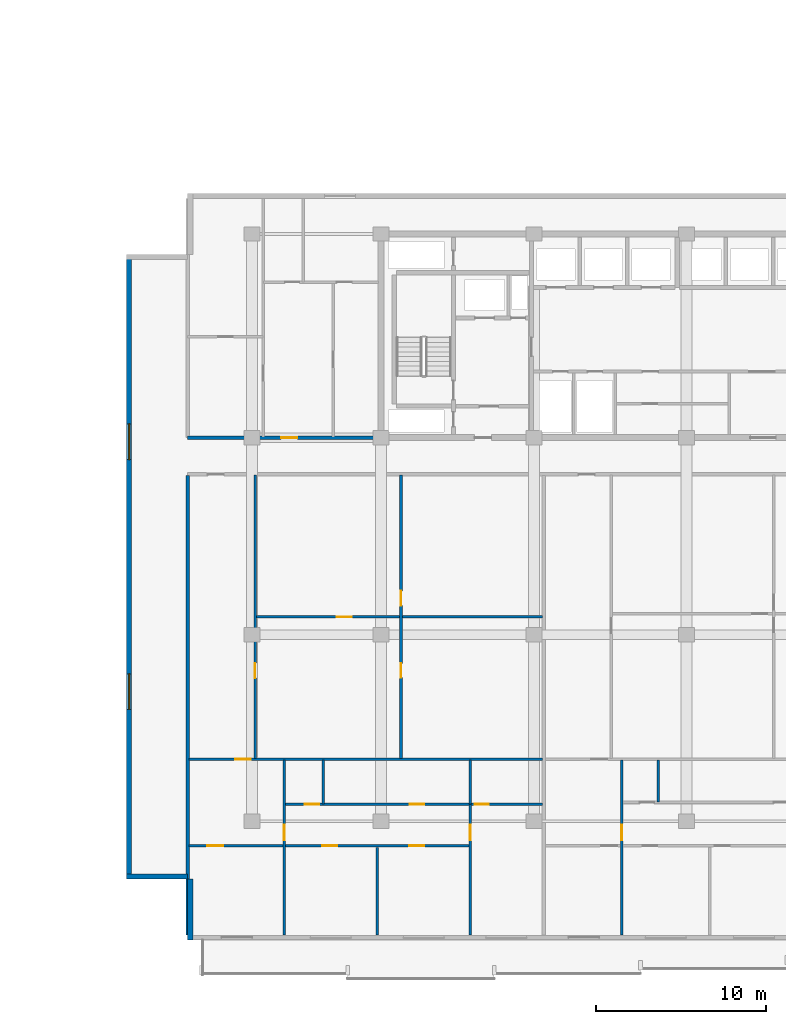
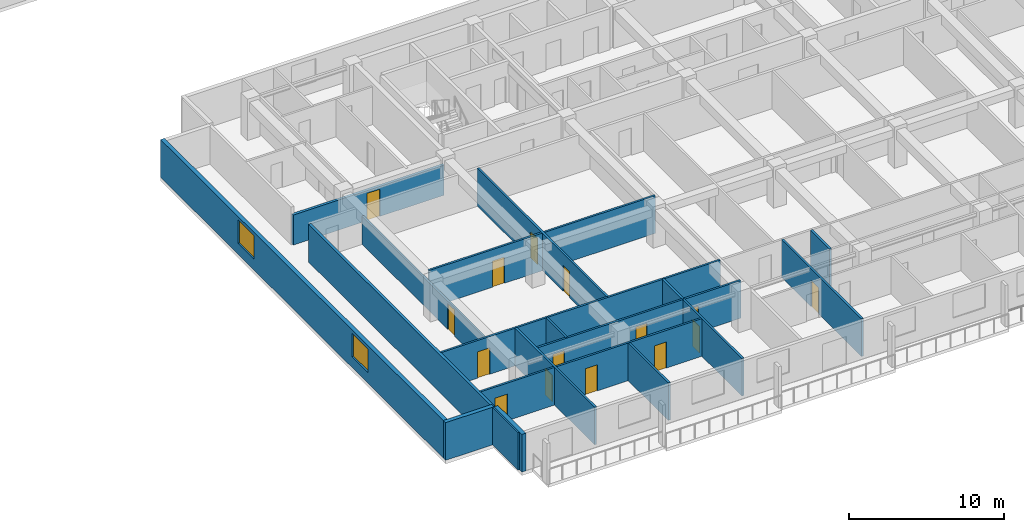
# One storey, part 3 of 23: 18 walls, 15 doors, 2 windows, 17 openings.
"""IFC4 building model written with IfcOpenShell, lengths in metres."""

import ifcopenshell
import ifcopenshell.guid

model = None  # the IFC model being written
_history = None  # IfcOwnerHistory: only IFC2X3 demands one
_inside = {}  # id of a spatial element -> (the spatial element, [elements in it])
_under = {}  # id of a project, library or spatial element -> (it, [spatial elements below it])
_declared = {}  # id of a project -> (the project, [libraries it declares])
_typed = {}  # id of a type object -> (the type object, [elements of that type])
_made_of = {}  # id of a material, layer set ... -> (it, [elements and type objects made of it])


def new_model(schema):
    """Start an empty IFC model of exactly this schema.

    Asked for "IFC4X3", IfcOpenShell would pick the latest addendum, in which some entities
    have other attributes; the version numbers below select the first issue.
    IFC2X3 requires an IfcOwnerHistory on every rooted entity: one is made here for all.
    """
    global model, _history
    if schema == "IFC4X3":
        model = ifcopenshell.file(schema_version=(4, 3, 0, 0))
    else:
        model = ifcopenshell.file(schema=schema)
    _inside.clear()
    _under.clear()
    _declared.clear()
    _typed.clear()
    _made_of.clear()
    _history = None
    if model.schema == "IFC2X3":
        org = make("IfcOrganization", Name="unknown")
        user = make(
            "IfcPersonAndOrganization",
            ThePerson=make("IfcPerson", FamilyName="unknown"),
            TheOrganization=org,
        )
        app = make(
            "IfcApplication",
            ApplicationDeveloper=org,
            Version="unknown",
            ApplicationFullName="unknown",
            ApplicationIdentifier="unknown",
        )
        _history = make(
            "IfcOwnerHistory",
            OwningUser=user,
            OwningApplication=app,
            ChangeAction="ADDED",
            CreationDate=0,
        )
    return model


def make(cls, **values):
    """One entity of the class cls with the attributes given. An attribute that is None is left unset."""
    return model.create_entity(
        cls, **{name: value for name, value in values.items() if value is not None}
    )


def rooted(cls, **values):
    """An entity with a GlobalId (a new one), such as an element, a storey or a relation."""
    return make(cls, GlobalId=ifcopenshell.guid.new(), OwnerHistory=_history, **values)


def si_unit(unit_type, name, prefix=None):
    """IfcSIUnit, for example si_unit("LENGTHUNIT", "METRE", prefix="MILLI")."""
    return make("IfcSIUnit", UnitType=unit_type, Prefix=prefix, Name=name)


def assignment(units):
    """IfcUnitAssignment: the units of a project."""
    return None if units is None else make("IfcUnitAssignment", Units=units)


def point(xyz):
    """IfcCartesianPoint."""
    return None if xyz is None else make("IfcCartesianPoint", Coordinates=xyz)


def direction(xyz):
    """IfcDirection."""
    return None if xyz is None else make("IfcDirection", DirectionRatios=xyz)


def frame(location, z_axis=None, x_axis=None):
    """IfcAxis2Placement3D, a coordinate frame: its origin and axes. An axis left out is left unset."""
    return make(
        "IfcAxis2Placement3D",
        Location=point(location),
        Axis=direction(z_axis),
        RefDirection=direction(x_axis),
    )


def frame_2d(location, x_axis=None):
    """IfcAxis2Placement2D, a coordinate frame in the plane: its origin and x axis."""
    return make(
        "IfcAxis2Placement2D", Location=point(location), RefDirection=direction(x_axis)
    )


def origin():
    """The frame at (0, 0, 0) with its axes left unset."""
    return frame((0.0, 0.0, 0.0))


def place(relative_to, where):
    """IfcLocalPlacement: puts the frame where relative to a parent placement (None: the world)."""
    return make(
        "IfcLocalPlacement", PlacementRelTo=relative_to, RelativePlacement=where
    )


def context(
    kind, dimensions, precision=None, world=None, true_north=None, identifier=None
):
    """IfcGeometricRepresentationContext, for example the 3D "Model" context."""
    return make(
        "IfcGeometricRepresentationContext",
        ContextIdentifier=identifier,
        ContextType=kind,
        CoordinateSpaceDimension=dimensions,
        Precision=precision,
        WorldCoordinateSystem=world,
        TrueNorth=true_north,
    )


def subcontext(parent, identifier, kind, view, scale=None):
    """IfcGeometricRepresentationSubContext, for example "Body" below "Model"."""
    return make(
        "IfcGeometricRepresentationSubContext",
        ContextIdentifier=identifier,
        ContextType=kind,
        ParentContext=parent,
        TargetScale=scale,
        TargetView=view,
    )


def project(units=None, contexts=None):
    """IfcProject with its units and contexts."""
    return rooted(
        "IfcProject",
        Name="project",
        RepresentationContexts=contexts,
        UnitsInContext=assignment(units),
    )


def spatial(cls, under=None, at=None, **own):
    """A site, building, storey or space (cls), placed at a placement, below another one or the project."""
    s = rooted(cls, ObjectPlacement=at, **own)
    if under is not None:
        _under.setdefault(under.id(), (under, []))[1].append(s)
    return s


def profile(cls, at=None, kind="AREA", **sizes):
    """A parametric profile (cls). Its sizes go by their IFC names, for example OverallWidth=200.0."""
    return make(cls, ProfileType=kind, Position=at, **sizes)


def rectangle(**sizes):
    """IfcRectangleProfileDef."""
    return profile("IfcRectangleProfileDef", **sizes)


def extrude(swept, where, along, depth):
    """IfcExtrudedAreaSolid: the profile swept, set in the frame where, extruded along a direction by depth."""
    return make(
        "IfcExtrudedAreaSolid",
        SweptArea=swept,
        Position=where,
        ExtrudedDirection=direction(along),
        Depth=depth,
    )


def shape(context_of_items, identifier, shape_type, items):
    """IfcShapeRepresentation: the items that make up one representation, for example the "Body"."""
    return make(
        "IfcShapeRepresentation",
        ContextOfItems=context_of_items,
        RepresentationIdentifier=identifier,
        RepresentationType=shape_type,
        Items=items,
    )


def material(Name=None, Category=None):
    """IfcMaterial."""
    return make("IfcMaterial", Name=Name, Category=Category)


def layer(
    of_material, thickness, ventilated=None, Name=None, Category=None, Priority=None
):
    """IfcMaterialLayer: one layer of a wall or slab, of a material (None: an air gap)."""
    return make(
        "IfcMaterialLayer",
        Material=of_material,
        LayerThickness=thickness,
        IsVentilated=ventilated,
        Name=Name,
        Category=Category,
        Priority=Priority,
    )


def layer_set(layers, Name=None):
    """IfcMaterialLayerSet."""
    return make("IfcMaterialLayerSet", MaterialLayers=layers, LayerSetName=Name)


def made_of(thing, what):
    """Note that an element or type object is made of a material, layer set ...; save() writes the relation."""
    if what is not None:
        _made_of.setdefault(what.id(), (what, []))[1].append(thing)
    return thing


def type_object(cls, material=None, **own):
    """A type object (cls), such as IfcWallType, which elements share."""
    return made_of(rooted(cls, **own), material)


def element(
    cls,
    number,
    at=None,
    inside=None,
    cuts=None,
    type_object=None,
    material=None,
    context=None,
    identifier="Body",
    shape_type=None,
    held_by="IfcProductDefinitionShape",
    body=None,
    shapes=None,
    **own,
):
    """One element of the class cls, such as IfcWall. Its Tag is "e" and its number.

    at: its placement. inside: the storey or other place that contains it. cuts: it is an
    opening in that element (IfcRelVoidsElement). A single representation is given by context,
    identifier, shape_type and body (its items); several are given by shapes. held_by: the class
    of the entity that holds the representations. save() writes the other relations.
    """
    e = rooted(cls, Tag="e%d" % number, ObjectPlacement=at, **own)
    if body is not None:
        shapes = [shape(context, identifier, shape_type, body)]
    if shapes is not None:
        e.Representation = make(held_by, Representations=shapes)
    if inside is not None:
        _inside.setdefault(inside.id(), (inside, []))[1].append(e)
    if cuts is not None:
        rooted(
            "IfcRelVoidsElement", RelatingBuildingElement=cuts, RelatedOpeningElement=e
        )
    if type_object is not None:
        _typed.setdefault(type_object.id(), (type_object, []))[1].append(e)
    return made_of(e, material)


def fill(opening, filler):
    """IfcRelFillsElement: the door or window that sits in an opening."""
    return rooted(
        "IfcRelFillsElement",
        RelatingOpeningElement=opening,
        RelatedBuildingElement=filler,
    )


def aggregate(whole, parts):
    """IfcRelAggregates: a whole, such as a stair, and the parts it consists of."""
    return rooted("IfcRelAggregates", RelatingObject=whole, RelatedObjects=parts)


def save(model, path):
    """Write the relations noted so far, then the file.

    IfcRelAggregates (storeys below a building ...), IfcRelContainedInSpatialStructure (elements
    in a storey), IfcRelDefinesByType, IfcRelAssociatesMaterial and IfcRelDeclares: one each for
    every whole, place, type object, material and project.
    """
    for whole, parts in _under.values():
        aggregate(whole, parts)
    for where, things in _inside.values():
        rooted(
            "IfcRelContainedInSpatialStructure",
            RelatedElements=things,
            RelatingStructure=where,
        )
    for kind, things in _typed.values():
        rooted("IfcRelDefinesByType", RelatedObjects=things, RelatingType=kind)
    for what, things in _made_of.values():
        rooted("IfcRelAssociatesMaterial", RelatedObjects=things, RelatingMaterial=what)
    for by, libraries in _declared.values():
        rooted("IfcRelDeclares", RelatingContext=by, RelatedDefinitions=libraries)
    model.write(path)


model = new_model("IFC4")

# Units and contexts
model_context = context("Model", 3, precision=1e-05, world=origin(), true_north=direction((0.0, 1.0)))
body_context = subcontext(model_context, "Body", "Model", "MODEL_VIEW")
ifc_project = project(units=[si_unit("LENGTHUNIT", "METRE"), si_unit("AREAUNIT", "SQUARE_METRE"), si_unit("VOLUMEUNIT", "CUBIC_METRE"), si_unit("PLANEANGLEUNIT", "RADIAN"), si_unit("MASSUNIT", "GRAM", prefix="KILO")], contexts=[model_context])

# Site, building, storey
site_placement = place(None, origin())
site = spatial("IfcSite", under=ifc_project, at=site_placement, CompositionType="ELEMENT")
building_placement = place(site_placement, origin())
building = spatial("IfcBuilding", under=site, at=building_placement, Name="Korimba Cascade Residences", CompositionType="ELEMENT")
storey_placement = place(building_placement, frame((0.0, 0.0, 59.75)))
storey = spatial("IfcBuildingStorey", under=building, at=storey_placement, Name="L16", CompositionType="ELEMENT", Elevation=59.75)

# Wall, openings, windows
ifc_material_1 = material(Name="Precast concrete C40/50", Category="concrete")
ifc_layer_1 = layer(ifc_material_1, 0.300048828125)
ifc_layer_set_1 = layer_set([ifc_layer_1], Name="Precast concrete C40/50")
wall_type_1 = type_object("IfcWallType", Name="EW-STONE-300", PredefinedType="STANDARD", material=ifc_layer_set_1)
wall_1_placement = place(storey_placement, frame((67.25, 29.199951171875, 0.0), z_axis=(0.0, 0.0, 1.0), x_axis=(0.0, -1.0, 0.0)))
wall_1 = element("IfcWall", 1, at=wall_1_placement, inside=storey, type_object=wall_type_1, Name="L16 T2 Perimeter Stone Wall E09", PredefinedType="STANDARD", context=body_context, shape_type="SweptSolid", body=[
    extrude(rectangle(XDim=36.800048828125, YDim=0.300048828125, at=frame_2d((18.39990234375, 0.0))), origin(), (0.0, 0.0, 1.0), 2.969970703125),
])
opening_1_placement = place(wall_1_placement, frame((9.989990234375, 0.0, 0.85009765625)))
opening_1 = element("IfcOpeningElement", 2, at=opening_1_placement, cuts=wall_1, Name="Opening W-03", PredefinedType="OPENING", context=body_context, shape_type="SweptSolid", body=[
    extrude(rectangle(XDim=2.10009765625, YDim=1.85009765625, at=frame_2d((1.050048828125, 0.925048828125))), frame((0.0, 0.16015625, 0.0), z_axis=(0.0, -1.0, 0.0), x_axis=(1.0, 0.0, 0.0)), (0.0, 0.0, 1.0), 0.320068359375),
])
opening_2_placement = place(wall_1_placement, frame((24.7099609375, 0.0, 0.85009765625)))
opening_2 = element("IfcOpeningElement", 3, at=opening_2_placement, cuts=wall_1, Name="Opening W-03", PredefinedType="OPENING", context=body_context, shape_type="SweptSolid", body=[
    extrude(rectangle(XDim=2.10009765625, YDim=1.85009765625, at=frame_2d((1.050048828125, 0.925048828125))), frame((0.0, 0.16015625, 0.0), z_axis=(0.0, -1.0, 0.0), x_axis=(1.0, 0.0, 0.0)), (0.0, 0.0, 1.0), 0.320068359375),
])
ifc_material_2 = material(Name="Double-Glazed Aluminium Window", Category="aluminium")
window_type = type_object("IfcWindowType", Name="WIN-CRN-2100", PartitioningType="DOUBLE_PANEL_HORIZONTAL", PredefinedType="WINDOW", material=ifc_material_2)
window_1_placement = place(opening_1_placement, origin())
window_1 = element("IfcWindow", 4, at=window_1_placement, inside=storey, type_object=window_type, Name="L16 T2 End View Window 9.1", OverallHeight=1.85009765625, OverallWidth=2.10009765625, PartitioningType="DOUBLE_PANEL_HORIZONTAL", PredefinedType="WINDOW", context=body_context, shape_type="SweptSolid", body=[
    extrude(rectangle(XDim=2.10009765625, YDim=1.85009765625, at=frame_2d((1.050048828125, 0.925048828125))), frame((0.0, 0.030029296875, 0.0), z_axis=(0.0, -1.0, 0.0), x_axis=(1.0, 0.0, 0.0)), (0.0, 0.0, 1.0), 0.06005859375),
])
fill(opening_1, window_1)
window_2_placement = place(opening_2_placement, origin())
window_2 = element("IfcWindow", 5, at=window_2_placement, inside=storey, type_object=window_type, Name="L16 T2 End View Window 9.2", OverallHeight=1.85009765625, OverallWidth=2.10009765625, PartitioningType="DOUBLE_PANEL_HORIZONTAL", PredefinedType="WINDOW", context=body_context, shape_type="SweptSolid", body=[
    extrude(rectangle(XDim=2.10009765625, YDim=1.85009765625, at=frame_2d((1.050048828125, 0.925048828125))), frame((0.0, 0.030029296875, 0.0), z_axis=(0.0, -1.0, 0.0), x_axis=(1.0, 0.0, 0.0)), (0.0, 0.0, 1.0), 0.06005859375),
])
fill(opening_2, window_2)

# Walls
for number, where, z_axis, x_axis, name in (
    (6, (67.10009765625, -7.449951171875, 0.0), (0.0, 0.0, 1.0), (1.0, 0.0, 0.0), "L16 T2 Perimeter Stone Wall E10"),
    (7, (70.85009765625, -7.60009765625, 0.0), (0.0, 0.0, 1.0), (0.0, -1.0, 0.0), "L16 T2 Perimeter Stone Wall E11"),
):
    element("IfcWall", number, at=place(storey_placement, frame(where, z_axis=z_axis, x_axis=x_axis)), inside=storey, type_object=wall_type_1, Name=name, PredefinedType="STANDARD", context=body_context, shape_type="SweptSolid", body=[
        extrude(rectangle(XDim=3.599853515625, YDim=0.300048828125, at=frame_2d((1.7998046875, 0.0))), origin(), (0.0, 0.0, 1.0), 2.969970703125),
    ])

# Wall, opening, door
ifc_layer_2 = layer(ifc_material_1, 0.199951171875)
ifc_layer_set_2 = layer_set([ifc_layer_2], Name="Precast concrete C40/50")
wall_type_2 = type_object("IfcWallType", Name="WAL-IT-200", PredefinedType="PARTITIONING", material=ifc_layer_set_2)
wall_2_placement = place(storey_placement, frame((70.699951171875, 18.39990234375, 0.0), z_axis=(0.0, 0.0, 1.0), x_axis=(1.0, 0.0, 0.0)))
wall_2 = element("IfcWall", 8, at=wall_2_placement, inside=storey, type_object=wall_type_2, Name="L16 Partition Wall WAL-L16-T2-FW-S", PredefinedType="PARTITIONING", context=body_context, shape_type="SweptSolid", body=[
    extrude(rectangle(XDim=11.25, YDim=0.199951171875, at=frame_2d((5.625, 0.0))), origin(), (0.0, 0.0, 1.0), 2.3701171875),
])
opening_3_placement = place(wall_2_placement, frame((5.50634765625, 0.0, 0.0)))
opening_3 = element("IfcOpeningElement", 9, at=opening_3_placement, cuts=wall_2, Name="Opening D-UN1", PredefinedType="OPENING", context=body_context, shape_type="SweptSolid", body=[
    extrude(rectangle(XDim=0.949951171875, YDim=2.14990234375, at=frame_2d((0.47509765625, 1.074951171875))), frame((0.0, 0.10986328125, 0.0), z_axis=(0.0, -1.0, 0.0), x_axis=(1.0, 0.0, 0.0)), (0.0, 0.0, 1.0), 0.219970703125),
])
ifc_material_3 = material(Name="Fire-Rated Hardwood Apartment Entrance Door", Category="wood")
door_type_1 = type_object("IfcDoorType", Name="DR-FD60-950", OperationType="NOTDEFINED", PredefinedType="DOOR", material=ifc_material_3)
door_1_placement = place(opening_3_placement, origin())
door_1 = element("IfcDoor", 10, at=door_1_placement, inside=storey, type_object=door_type_1, Name="L16-T2-FW Entrance Door", OperationType="SINGLE_SWING_RIGHT", OverallHeight=2.14990234375, OverallWidth=0.949951171875, PredefinedType="DOOR", context=body_context, shape_type="SweptSolid", body=[
    extrude(rectangle(XDim=0.949951171875, YDim=2.14990234375, at=frame_2d((0.47509765625, 1.074951171875))), frame((0.0, 0.02490234375, 0.0), z_axis=(0.0, -1.0, 0.0), x_axis=(1.0, 0.0, 0.0)), (0.0, 0.0, 1.0), 0.050048828125),
])
fill(opening_3, door_1)

# Wall
wall_3_placement = place(storey_placement, frame((70.699951171875, -10.89990234375, 0.0), z_axis=(0.0, 0.0, 1.0), x_axis=(0.0, 1.0, 0.0)))
element("IfcWall", 11, at=wall_3_placement, inside=storey, type_object=wall_type_2, Name="L16 Partition Wall WAL-L16-T2-BNDWL", PredefinedType="PARTITIONING", context=body_context, shape_type="SweptSolid", body=[
    extrude(rectangle(XDim=27.06982421875, YDim=0.199951171875, at=frame_2d((13.534912109375, 0.0))), origin(), (0.0, 0.0, 1.0), 2.969970703125),
])

# Wall, openings, doors
ifc_material_4 = material(Name="Insulated Acoustic Stud Partition", Category="gypsum")
ifc_layer_3 = layer(ifc_material_4, 0.14990234375)
ifc_layer_set_3 = layer_set([ifc_layer_3], Name="Insulated Acoustic Stud Partition")
wall_type_3 = type_object("IfcWallType", Name="WAL-PART-150", PredefinedType="PARTITIONING", material=ifc_layer_set_3)
wall_4_placement = place(storey_placement, frame((83.269287109375, -0.510009765625, 0.0), z_axis=(0.0, 0.0, 1.0), x_axis=(0.0, 1.0, 0.0)))
wall_4 = element("IfcWall", 12, at=wall_4_placement, inside=storey, type_object=wall_type_3, Name="L16 Partition Wall WAL-L16-T2-U01-FMV", PredefinedType="PARTITIONING", context=body_context, shape_type="SweptSolid", body=[
    extrude(rectangle(XDim=16.699951171875, YDim=0.14990234375, at=frame_2d((8.35009765625, 0.0))), origin(), (0.0, 0.0, 1.0), 2.969970703125),
])
opening_4_placement = place(wall_4_placement, frame((4.7724609375, 0.0, 0.0)))
opening_4 = element("IfcOpeningElement", 13, at=opening_4_placement, cuts=wall_4, Name="Opening D-BT1", PredefinedType="OPENING", context=body_context, shape_type="SweptSolid", body=[
    extrude(rectangle(XDim=0.840087890625, YDim=2.0400390625, at=frame_2d((0.419921875, 1.02001953125))), frame((0.0, 0.0849609375, 0.0), z_axis=(0.0, -1.0, 0.0), x_axis=(1.0, 0.0, 0.0)), (0.0, 0.0, 1.0), 0.169921875),
])
opening_5_placement = place(wall_4_placement, frame((9.01220703125, 0.0, 0.0)))
opening_5 = element("IfcOpeningElement", 14, at=opening_5_placement, cuts=wall_4, Name="Opening D-IN2", PredefinedType="OPENING", context=body_context, shape_type="SweptSolid", body=[
    extrude(rectangle(XDim=0.8798828125, YDim=2.06005859375, at=frame_2d((0.43994140625, 1.030029296875))), frame((0.0, 0.0849609375, 0.0), z_axis=(0.0, -1.0, 0.0), x_axis=(1.0, 0.0, 0.0)), (0.0, 0.0, 1.0), 0.169921875),
])
ifc_material_5 = material(Name="Moisture-Resistant Bathroom Timber Door", Category="wood")
door_type_2 = type_object("IfcDoorType", Name="DR-INT-850", OperationType="NOTDEFINED", PredefinedType="DOOR", material=ifc_material_5)
door_2_placement = place(opening_4_placement, origin())
door_2 = element("IfcDoor", 15, at=door_2_placement, inside=storey, type_object=door_type_2, Name="L16-T2-U01 Wardrobe Door", OperationType="SINGLE_SWING_LEFT", OverallHeight=2.0400390625, OverallWidth=0.840087890625, PredefinedType="DOOR", context=body_context, shape_type="SweptSolid", body=[
    extrude(rectangle(XDim=0.840087890625, YDim=2.0400390625, at=frame_2d((0.419921875, 1.02001953125))), frame((0.0, 0.02490234375, 0.0), z_axis=(0.0, -1.0, 0.0), x_axis=(1.0, 0.0, 0.0)), (0.0, 0.0, 1.0), 0.050048828125),
])
fill(opening_4, door_2)
ifc_material_6 = material(Name="Acoustic Timber Bedroom Door", Category="wood")
door_type_3 = type_object("IfcDoorType", Name="DR-INT-880", OperationType="NOTDEFINED", PredefinedType="DOOR", material=ifc_material_6)
door_3_placement = place(opening_5_placement, origin())
door_3 = element("IfcDoor", 16, at=door_3_placement, inside=storey, type_object=door_type_3, Name="L16-T2-U01 Music Lounge Door", OperationType="SINGLE_SWING_RIGHT", OverallHeight=2.06005859375, OverallWidth=0.8798828125, PredefinedType="DOOR", context=body_context, shape_type="SweptSolid", body=[
    extrude(rectangle(XDim=0.8798828125, YDim=2.06005859375, at=frame_2d((0.43994140625, 1.030029296875))), frame((0.0, 0.02490234375, 0.0), z_axis=(0.0, -1.0, 0.0), x_axis=(1.0, 0.0, 0.0)), (0.0, 0.0, 1.0), 0.050048828125),
])
fill(opening_5, door_3)

# Wall, opening, door
wall_5_placement = place(storey_placement, frame((74.72998046875, 7.840087890625, 0.0), z_axis=(0.0, 0.0, 1.0), x_axis=(1.0, 0.0, 0.0)))
wall_5 = element("IfcWall", 17, at=wall_5_placement, inside=storey, type_object=wall_type_3, Name="L16 Partition Wall WAL-L16-T2-U01-FMH", PredefinedType="PARTITIONING", context=body_context, shape_type="SweptSolid", body=[
    extrude(rectangle(XDim=16.87841796875, YDim=0.14990234375, at=frame_2d((8.439208984375, 0.0))), origin(), (0.0, 0.0, 1.0), 2.969970703125),
])
opening_6_placement = place(wall_5_placement, frame((4.745361328125, 0.0, 0.0)))
opening_6 = element("IfcOpeningElement", 18, at=opening_6_placement, cuts=wall_5, Name="Opening D-IN2", PredefinedType="OPENING", context=body_context, shape_type="SweptSolid", body=[
    extrude(rectangle(XDim=0.8798828125, YDim=2.06005859375, at=frame_2d((0.43994140625, 1.030029296875))), frame((0.0, 0.0849609375, 0.0), z_axis=(0.0, -1.0, 0.0), x_axis=(1.0, 0.0, 0.0)), (0.0, 0.0, 1.0), 0.169921875),
])
door_4_placement = place(opening_6_placement, origin())
door_4 = element("IfcDoor", 19, at=door_4_placement, inside=storey, type_object=door_type_3, Name="L16-T2-U01 Library Salon Door", OperationType="SINGLE_SWING_LEFT", OverallHeight=2.06005859375, OverallWidth=0.8798828125, PredefinedType="DOOR", context=body_context, shape_type="SweptSolid", body=[
    extrude(rectangle(XDim=0.8798828125, YDim=2.06005859375, at=frame_2d((0.43994140625, 1.030029296875))), frame((0.0, 0.02490234375, 0.0), z_axis=(0.0, -1.0, 0.0), x_axis=(1.0, 0.0, 0.0)), (0.0, 0.0, 1.0), 0.050048828125),
])
fill(opening_6, door_4)

wall_6_placement = place(storey_placement, frame((74.669921875, -0.510009765625, 0.0), z_axis=(0.0, 0.0, 1.0), x_axis=(0.0, 1.0, 0.0)))
wall_6 = element("IfcWall", 20, at=wall_6_placement, inside=storey, type_object=wall_type_3, Name="L16 Partition Wall WAL-L16-T2-U01-FV", PredefinedType="PARTITIONING", context=body_context, shape_type="SweptSolid", body=[
    extrude(rectangle(XDim=16.699951171875, YDim=0.14990234375, at=frame_2d((8.35009765625, 0.0))), origin(), (0.0, 0.0, 1.0), 2.219970703125),
])
opening_7_placement = place(wall_6_placement, frame((4.746826171875, 0.0, 0.0)))
opening_7 = element("IfcOpeningElement", 21, at=opening_7_placement, cuts=wall_6, Name="Opening D-IN2", PredefinedType="OPENING", context=body_context, shape_type="SweptSolid", body=[
    extrude(rectangle(XDim=0.8798828125, YDim=2.06005859375, at=frame_2d((0.43994140625, 1.030029296875))), frame((0.0, 0.0849609375, 0.0), z_axis=(0.0, -1.0, 0.0), x_axis=(1.0, 0.0, 0.0)), (0.0, 0.0, 1.0), 0.169921875),
])
door_5_placement = place(opening_7_placement, origin())
door_5 = element("IfcDoor", 22, at=door_5_placement, inside=storey, type_object=door_type_3, Name="L16-T2-U01 Media Lounge Door", OperationType="SINGLE_SWING_RIGHT", OverallHeight=2.06005859375, OverallWidth=0.8798828125, PredefinedType="DOOR", context=body_context, shape_type="SweptSolid", body=[
    extrude(rectangle(XDim=0.8798828125, YDim=2.06005859375, at=frame_2d((0.43994140625, 1.030029296875))), frame((0.0, 0.02490234375, 0.0), z_axis=(0.0, -1.0, 0.0), x_axis=(1.0, 0.0, 0.0)), (0.0, 0.0, 1.0), 0.050048828125),
])
fill(opening_7, door_5)

# Walls
wall_7_placement = place(storey_placement, frame((78.68994140625, -3.169921875, 0.0), z_axis=(0.0, 0.0, 1.0), x_axis=(0.0, 1.0, 0.0)))
element("IfcWall", 23, at=wall_7_placement, inside=storey, type_object=wall_type_3, Name="L16 Partition Wall WAL-L16-T2-U01-VDRS", PredefinedType="PARTITIONING", context=body_context, shape_type="SweptSolid", body=[
    extrude(rectangle(XDim=2.579833984375, YDim=0.14990234375, at=frame_2d((1.2900390625, 0.0))), origin(), (0.0, 0.0, 1.0), 2.969970703125),
])
wall_8_placement = place(storey_placement, frame((81.869140625, -10.89990234375, 0.0), z_axis=(0.0, 0.0, 1.0), x_axis=(0.0, 1.0, 0.0)))
element("IfcWall", 24, at=wall_8_placement, inside=storey, type_object=wall_type_3, Name="L16 Partition Wall WAL-L16-T2-U01-VB3", PredefinedType="PARTITIONING", context=body_context, shape_type="SweptSolid", body=[
    extrude(rectangle(XDim=5.169921875, YDim=0.14990234375, at=frame_2d((2.5849609375, 0.0))), origin(), (0.0, 0.0, 1.0), 2.969970703125),
])

# Wall, opening, door
wall_9_placement = place(storey_placement, frame((76.3798828125, -10.89990234375, 0.0), z_axis=(0.0, 0.0, 1.0), x_axis=(0.0, 1.0, 0.0)))
wall_9 = element("IfcWall", 25, at=wall_9_placement, inside=storey, type_object=wall_type_3, Name="L16 Partition Wall WAL-L16-T2-U01-V1", PredefinedType="PARTITIONING", context=body_context, shape_type="SweptSolid", body=[
    extrude(rectangle(XDim=10.309814453125, YDim=0.14990234375, at=frame_2d((5.15478515625, 0.0))), origin(), (0.0, 0.0, 1.0), 2.969970703125),
])
opening_8_placement = place(wall_9_placement, frame((5.570068359375, 0.0, 0.0)))
opening_8 = element("IfcOpeningElement", 26, at=opening_8_placement, cuts=wall_9, Name="Opening D-IN1", PredefinedType="OPENING", context=body_context, shape_type="SweptSolid", body=[
    extrude(rectangle(XDim=0.919921875, YDim=2.080078125, at=frame_2d((0.4599609375, 1.0400390625))), frame((0.0, 0.0849609375, 0.0), z_axis=(0.0, -1.0, 0.0), x_axis=(1.0, 0.0, 0.0)), (0.0, 0.0, 1.0), 0.169921875),
])
ifc_material_7 = material(Name="Acoustic Timber Living Door", Category="wood")
door_type_4 = type_object("IfcDoorType", Name="DR-INT-920", OperationType="NOTDEFINED", PredefinedType="DOOR", material=ifc_material_7)
door_6_placement = place(opening_8_placement, origin())
door_6 = element("IfcDoor", 27, at=door_6_placement, inside=storey, type_object=door_type_4, Name="L16-T2-U01 Hallway Door", OperationType="SINGLE_SWING_LEFT", OverallHeight=2.080078125, OverallWidth=0.919921875, PredefinedType="DOOR", context=body_context, shape_type="SweptSolid", body=[
    extrude(rectangle(XDim=0.919921875, YDim=2.080078125, at=frame_2d((0.4599609375, 1.0400390625))), frame((0.0, 0.02490234375, 0.0), z_axis=(0.0, -1.0, 0.0), x_axis=(1.0, 0.0, 0.0)), (0.0, 0.0, 1.0), 0.050048828125),
])
fill(opening_8, door_6)

# Wall
wall_10_placement = place(storey_placement, frame((87.3583984375, -3.169921875, 0.0), z_axis=(0.0, 0.0, 1.0), x_axis=(0.0, 1.0, 0.0)))
element("IfcWall", 28, at=wall_10_placement, inside=storey, type_object=wall_type_3, Name="L16 Partition Wall WAL-L16-T2-U01-VBATH", PredefinedType="PARTITIONING", context=body_context, shape_type="SweptSolid", body=[
    extrude(rectangle(XDim=2.579833984375, YDim=0.14990234375, at=frame_2d((1.2900390625, 0.0))), origin(), (0.0, 0.0, 1.0), 2.969970703125),
])

# Wall, opening, door
wall_11_placement = place(storey_placement, frame((87.3583984375, -10.89990234375, 0.0), z_axis=(0.0, 0.0, 1.0), x_axis=(0.0, 1.0, 0.0)))
wall_11 = element("IfcWall", 29, at=wall_11_placement, inside=storey, type_object=wall_type_3, Name="L16 Partition Wall WAL-L16-T2-U01-V2FULL", PredefinedType="PARTITIONING", context=body_context, shape_type="SweptSolid", body=[
    extrude(rectangle(XDim=7.68994140625, YDim=0.14990234375, at=frame_2d((3.844970703125, 0.0))), origin(), (0.0, 0.0, 1.0), 2.969970703125),
])
opening_9_placement = place(wall_11_placement, frame((5.570068359375, 0.0, 0.0)))
opening_9 = element("IfcOpeningElement", 30, at=opening_9_placement, cuts=wall_11, Name="Opening D-IN1", PredefinedType="OPENING", context=body_context, shape_type="SweptSolid", body=[
    extrude(rectangle(XDim=0.919921875, YDim=2.080078125, at=frame_2d((0.4599609375, 1.0400390625))), frame((0.0, 0.0849609375, 0.0), z_axis=(0.0, -1.0, 0.0), x_axis=(1.0, 0.0, 0.0)), (0.0, 0.0, 1.0), 0.169921875),
])
door_7_placement = place(opening_9_placement, origin())
door_7 = element("IfcDoor", 31, at=door_7_placement, inside=storey, type_object=door_type_4, Name="L16-T2-U01 Master Bedroom Door", OperationType="SINGLE_SWING_RIGHT", OverallHeight=2.080078125, OverallWidth=0.919921875, PredefinedType="DOOR", context=body_context, shape_type="SweptSolid", body=[
    extrude(rectangle(XDim=0.919921875, YDim=2.080078125, at=frame_2d((0.4599609375, 1.0400390625))), frame((0.0, 0.02490234375, 0.0), z_axis=(0.0, -1.0, 0.0), x_axis=(1.0, 0.0, 0.0)), (0.0, 0.0, 1.0), 0.050048828125),
])
fill(opening_9, door_7)

# Wall, openings, doors
wall_12_placement = place(storey_placement, frame((76.419921875, -3.18994140625, 0.0), z_axis=(0.0, 0.0, 1.0), x_axis=(1.0, 0.0, 0.0)))
wall_12 = element("IfcWall", 32, at=wall_12_placement, inside=storey, type_object=wall_type_3, Name="L16 Partition Wall WAL-L16-T2-U01-HWALL", PredefinedType="PARTITIONING", context=body_context, shape_type="SweptSolid", body=[
    extrude(rectangle(XDim=15.1884765625, YDim=0.14990234375, at=frame_2d((7.59423828125, 0.0))), origin(), (0.0, 0.0, 1.0), 2.969970703125),
])
opening_10_placement = place(wall_12_placement, frame((1.19091796875, 0.0, 0.0)))
opening_10 = element("IfcOpeningElement", 33, at=opening_10_placement, cuts=wall_12, Name="Opening D-BT1", PredefinedType="OPENING", context=body_context, shape_type="SweptSolid", body=[
    extrude(rectangle(XDim=0.840087890625, YDim=2.0400390625, at=frame_2d((0.419921875, 1.02001953125))), frame((0.0, 0.0849609375, 0.0), z_axis=(0.0, -1.0, 0.0), x_axis=(1.0, 0.0, 0.0)), (0.0, 0.0, 1.0), 0.169921875),
])
opening_11_placement = place(wall_12_placement, frame((7.366455078125, 0.0, 0.0)))
opening_11 = element("IfcOpeningElement", 34, at=opening_11_placement, cuts=wall_12, Name="Opening D-BT1", PredefinedType="OPENING", context=body_context, shape_type="SweptSolid", body=[
    extrude(rectangle(XDim=0.840087890625, YDim=2.0400390625, at=frame_2d((0.419921875, 1.02001953125))), frame((0.0, 0.0849609375, 0.0), z_axis=(0.0, -1.0, 0.0), x_axis=(1.0, 0.0, 0.0)), (0.0, 0.0, 1.0), 0.169921875),
])
opening_12_placement = place(wall_12_placement, frame((11.1884765625, 0.0, 0.0)))
opening_12 = element("IfcOpeningElement", 35, at=opening_12_placement, cuts=wall_12, Name="Opening D-BT1", PredefinedType="OPENING", context=body_context, shape_type="SweptSolid", body=[
    extrude(rectangle(XDim=0.840087890625, YDim=2.0400390625, at=frame_2d((0.419921875, 1.02001953125))), frame((0.0, 0.0849609375, 0.0), z_axis=(0.0, -1.0, 0.0), x_axis=(1.0, 0.0, 0.0)), (0.0, 0.0, 1.0), 0.169921875),
])
door_8_placement = place(opening_10_placement, origin())
door_8 = element("IfcDoor", 36, at=door_8_placement, inside=storey, type_object=door_type_2, Name="L16-T2-U01 Family Bathroom Door", OperationType="SINGLE_SWING_LEFT", OverallHeight=2.0400390625, OverallWidth=0.840087890625, PredefinedType="DOOR", context=body_context, shape_type="SweptSolid", body=[
    extrude(rectangle(XDim=0.840087890625, YDim=2.0400390625, at=frame_2d((0.419921875, 1.02001953125))), frame((0.0, 0.02490234375, 0.0), z_axis=(0.0, -1.0, 0.0), x_axis=(1.0, 0.0, 0.0)), (0.0, 0.0, 1.0), 0.050048828125),
])
fill(opening_10, door_8)
door_9_placement = place(opening_11_placement, origin())
door_9 = element("IfcDoor", 37, at=door_9_placement, inside=storey, type_object=door_type_2, Name="L16-T2-U01 Dressing Room Door", OperationType="SINGLE_SWING_RIGHT", OverallHeight=2.0400390625, OverallWidth=0.840087890625, PredefinedType="DOOR", context=body_context, shape_type="SweptSolid", body=[
    extrude(rectangle(XDim=0.840087890625, YDim=2.0400390625, at=frame_2d((0.419921875, 1.02001953125))), frame((0.0, 0.02490234375, 0.0), z_axis=(0.0, -1.0, 0.0), x_axis=(1.0, 0.0, 0.0)), (0.0, 0.0, 1.0), 0.050048828125),
])
fill(opening_11, door_9)
door_10_placement = place(opening_12_placement, origin())
door_10 = element("IfcDoor", 38, at=door_10_placement, inside=storey, type_object=door_type_2, Name="L16-T2-U01 En-Suite Door", OperationType="SINGLE_SWING_LEFT", OverallHeight=2.0400390625, OverallWidth=0.840087890625, PredefinedType="DOOR", context=body_context, shape_type="SweptSolid", body=[
    extrude(rectangle(XDim=0.840087890625, YDim=2.0400390625, at=frame_2d((0.419921875, 1.02001953125))), frame((0.0, 0.02490234375, 0.0), z_axis=(0.0, -1.0, 0.0), x_axis=(1.0, 0.0, 0.0)), (0.0, 0.0, 1.0), 0.050048828125),
])
fill(opening_12, door_10)

# Wall, opening, door
wall_13_placement = place(storey_placement, frame((70.780029296875, -0.550048828125, 0.0), z_axis=(0.0, 0.0, 1.0), x_axis=(1.0, 0.0, 0.0)))
wall_13 = element("IfcWall", 39, at=wall_13_placement, inside=storey, type_object=wall_type_3, Name="L16 Partition Wall WAL-L16-T2-U01-MW", PredefinedType="PARTITIONING", context=body_context, shape_type="SweptSolid", body=[
    extrude(rectangle(XDim=20.828369140625, YDim=0.14990234375, at=frame_2d((10.4140625, 0.0))), origin(), (0.0, 0.0, 1.0), 2.969970703125),
])
opening_13_placement = place(wall_13_placement, frame((2.719970703125, 0.0, 0.0)))
opening_13 = element("IfcOpeningElement", 40, at=opening_13_placement, cuts=wall_13, Name="Opening D-IN1", PredefinedType="OPENING", context=body_context, shape_type="SweptSolid", body=[
    extrude(rectangle(XDim=0.919921875, YDim=2.080078125, at=frame_2d((0.4599609375, 1.0400390625))), frame((0.0, 0.0849609375, 0.0), z_axis=(0.0, -1.0, 0.0), x_axis=(1.0, 0.0, 0.0)), (0.0, 0.0, 1.0), 0.169921875),
])
door_11_placement = place(opening_13_placement, origin())
door_11 = element("IfcDoor", 41, at=door_11_placement, inside=storey, type_object=door_type_4, Name="L16-T2-U01 Kitchen Door", OperationType="SINGLE_SWING_RIGHT", OverallHeight=2.080078125, OverallWidth=0.919921875, PredefinedType="DOOR", context=body_context, shape_type="SweptSolid", body=[
    extrude(rectangle(XDim=0.919921875, YDim=2.080078125, at=frame_2d((0.4599609375, 1.0400390625))), frame((0.0, 0.02490234375, 0.0), z_axis=(0.0, -1.0, 0.0), x_axis=(1.0, 0.0, 0.0)), (0.0, 0.0, 1.0), 0.050048828125),
])
fill(opening_13, door_11)

# Wall, openings, doors
wall_14_placement = place(storey_placement, frame((70.780029296875, -5.64990234375, 0.0), z_axis=(0.0, 0.0, 1.0), x_axis=(1.0, 0.0, 0.0)))
wall_14 = element("IfcWall", 42, at=wall_14_placement, inside=storey, type_object=wall_type_3, Name="L16 Partition Wall WAL-L16-T2-U01-HZ", PredefinedType="PARTITIONING", context=body_context, shape_type="SweptSolid", body=[
    extrude(rectangle(XDim=16.578369140625, YDim=0.14990234375, at=frame_2d((8.2890625, 0.0))), origin(), (0.0, 0.0, 1.0), 2.969970703125),
])
opening_14_placement = place(wall_14_placement, frame((1.08203125, 0.0, 0.0)))
opening_14 = element("IfcOpeningElement", 43, at=opening_14_placement, cuts=wall_14, Name="Opening D-IN0", PredefinedType="OPENING", context=body_context, shape_type="SweptSolid", body=[
    extrude(rectangle(XDim=0.93994140625, YDim=2.10009765625, at=frame_2d((0.469970703125, 1.050048828125))), frame((0.0, 0.0849609375, 0.0), z_axis=(0.0, -1.0, 0.0), x_axis=(1.0, 0.0, 0.0)), (0.0, 0.0, 1.0), 0.169921875),
])
opening_15_placement = place(wall_14_placement, frame((7.849365234375, 0.0, 0.0)))
opening_15 = element("IfcOpeningElement", 44, at=opening_15_placement, cuts=wall_14, Name="Opening D-IN2", PredefinedType="OPENING", context=body_context, shape_type="SweptSolid", body=[
    extrude(rectangle(XDim=0.8798828125, YDim=2.06005859375, at=frame_2d((0.43994140625, 1.030029296875))), frame((0.0, 0.0849609375, 0.0), z_axis=(0.0, -1.0, 0.0), x_axis=(1.0, 0.0, 0.0)), (0.0, 0.0, 1.0), 0.169921875),
])
opening_16_placement = place(wall_14_placement, frame((12.976806640625, 0.0, 0.0)))
opening_16 = element("IfcOpeningElement", 45, at=opening_16_placement, cuts=wall_14, Name="Opening D-IN2", PredefinedType="OPENING", context=body_context, shape_type="SweptSolid", body=[
    extrude(rectangle(XDim=0.8798828125, YDim=2.06005859375, at=frame_2d((0.43994140625, 1.030029296875))), frame((0.0, 0.0849609375, 0.0), z_axis=(0.0, -1.0, 0.0), x_axis=(1.0, 0.0, 0.0)), (0.0, 0.0, 1.0), 0.169921875),
])
door_12_placement = place(opening_15_placement, origin())
door_12 = element("IfcDoor", 46, at=door_12_placement, inside=storey, type_object=door_type_3, Name="L16-T2-U01 Bedroom 2 Door", OperationType="SINGLE_SWING_RIGHT", OverallHeight=2.06005859375, OverallWidth=0.8798828125, PredefinedType="DOOR", context=body_context, shape_type="SweptSolid", body=[
    extrude(rectangle(XDim=0.8798828125, YDim=2.06005859375, at=frame_2d((0.43994140625, 1.030029296875))), frame((0.0, 0.02490234375, 0.0), z_axis=(0.0, -1.0, 0.0), x_axis=(1.0, 0.0, 0.0)), (0.0, 0.0, 1.0), 0.050048828125),
])
fill(opening_15, door_12)
door_13_placement = place(opening_16_placement, origin())
door_13 = element("IfcDoor", 47, at=door_13_placement, inside=storey, type_object=door_type_3, Name="L16-T2-U01 Bedroom 3 Door", OperationType="SINGLE_SWING_LEFT", OverallHeight=2.06005859375, OverallWidth=0.8798828125, PredefinedType="DOOR", context=body_context, shape_type="SweptSolid", body=[
    extrude(rectangle(XDim=0.8798828125, YDim=2.06005859375, at=frame_2d((0.43994140625, 1.030029296875))), frame((0.0, 0.02490234375, 0.0), z_axis=(0.0, -1.0, 0.0), x_axis=(1.0, 0.0, 0.0)), (0.0, 0.0, 1.0), 0.050048828125),
])
fill(opening_16, door_13)
ifc_material_8 = material(Name="Acoustic Timber Living Archway Door", Category="wood")
door_type_5 = type_object("IfcDoorType", Name="DR-INT-950", OperationType="NOTDEFINED", PredefinedType="DOOR", material=ifc_material_8)
door_14_placement = place(opening_14_placement, origin())
door_14 = element("IfcDoor", 48, at=door_14_placement, inside=storey, type_object=door_type_5, Name="L16-T2-U01 Living Room Door", OperationType="SINGLE_SWING_LEFT", OverallHeight=2.10009765625, OverallWidth=0.93994140625, PredefinedType="DOOR", context=body_context, shape_type="SweptSolid", body=[
    extrude(rectangle(XDim=0.93994140625, YDim=2.10009765625, at=frame_2d((0.469970703125, 1.050048828125))), frame((0.0, 0.02490234375, 0.0), z_axis=(0.0, -1.0, 0.0), x_axis=(1.0, 0.0, 0.0)), (0.0, 0.0, 1.0), 0.050048828125),
])
fill(opening_14, door_14)

# Wall
wall_15_placement = place(storey_placement, frame((98.41845703125, -3.06005859375, 0.0), z_axis=(0.0, 0.0, 1.0), x_axis=(0.0, 1.0, 0.0)))
element("IfcWall", 49, at=wall_15_placement, inside=storey, type_object=wall_type_3, Name="L16 Partition Wall WAL-L16-T2-U02-VDRS", PredefinedType="PARTITIONING", context=body_context, shape_type="SweptSolid", body=[
    extrude(rectangle(XDim=2.469970703125, YDim=0.14990234375, at=frame_2d((1.23486328125, 0.0))), origin(), (0.0, 0.0, 1.0), 2.969970703125),
])

# Wall, opening, door
wall_16_placement = place(storey_placement, frame((96.2685546875, -10.89990234375, 0.0), z_axis=(0.0, 0.0, 1.0), x_axis=(0.0, 1.0, 0.0)))
wall_16 = element("IfcWall", 50, at=wall_16_placement, inside=storey, type_object=wall_type_3, Name="L16 Partition Wall WAL-L16-T2-U02-V1", PredefinedType="PARTITIONING", context=body_context, shape_type="SweptSolid", body=[
    extrude(rectangle(XDim=10.309814453125, YDim=0.14990234375, at=frame_2d((5.15478515625, 0.0))), origin(), (0.0, 0.0, 1.0), 2.969970703125),
])
opening_17_placement = place(wall_16_placement, frame((5.570068359375, 0.0, 0.0)))
opening_17 = element("IfcOpeningElement", 51, at=opening_17_placement, cuts=wall_16, Name="Opening D-IN1", PredefinedType="OPENING", context=body_context, shape_type="SweptSolid", body=[
    extrude(rectangle(XDim=0.919921875, YDim=2.080078125, at=frame_2d((0.4599609375, 1.0400390625))), frame((0.0, 0.0849609375, 0.0), z_axis=(0.0, -1.0, 0.0), x_axis=(1.0, 0.0, 0.0)), (0.0, 0.0, 1.0), 0.169921875),
])
door_15_placement = place(opening_17_placement, origin())
door_15 = element("IfcDoor", 52, at=door_15_placement, inside=storey, type_object=door_type_4, Name="L16-T2-U02 Hallway Door", OperationType="SINGLE_SWING_RIGHT", OverallHeight=2.080078125, OverallWidth=0.919921875, PredefinedType="DOOR", context=body_context, shape_type="SweptSolid", body=[
    extrude(rectangle(XDim=0.919921875, YDim=2.080078125, at=frame_2d((0.4599609375, 1.0400390625))), frame((0.0, 0.02490234375, 0.0), z_axis=(0.0, -1.0, 0.0), x_axis=(1.0, 0.0, 0.0)), (0.0, 0.0, 1.0), 0.050048828125),
])
fill(opening_17, door_15)

save(model, "model.ifc")
